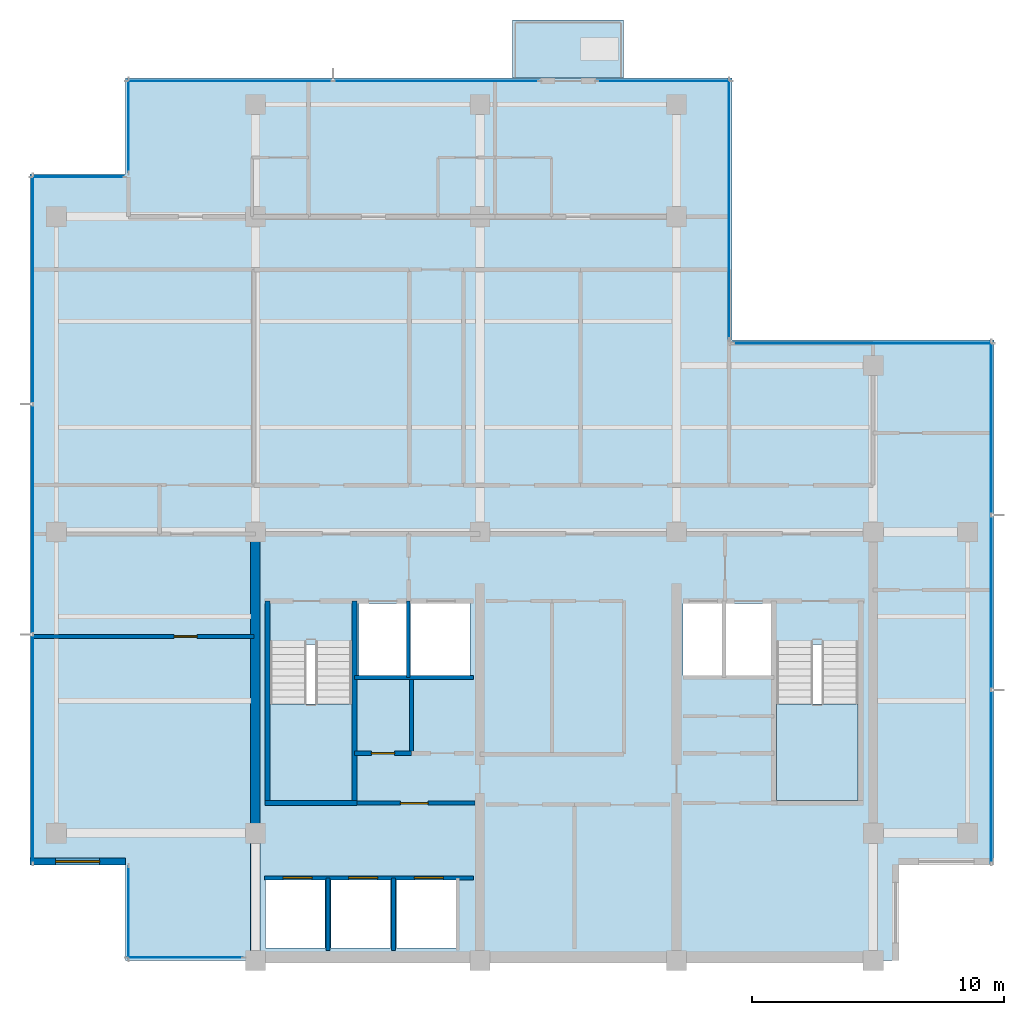
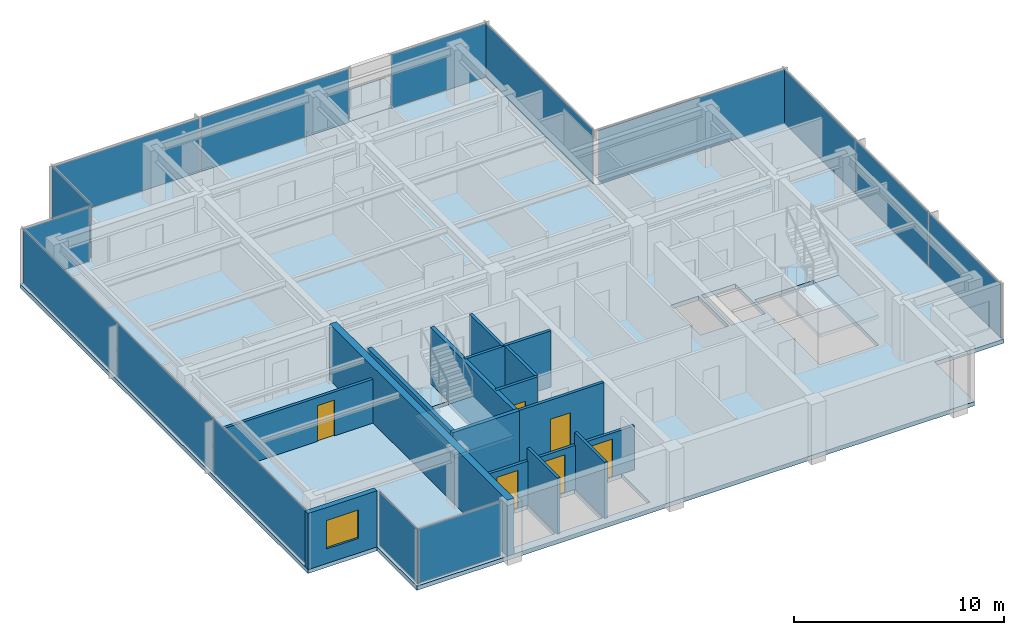
# One storey, part 5 of 11: 15 plates, 14 walls, 6 doors, 4 slabs, 1 window, 7 openings, 12 elements without a shape of their own.
"""IFC4 building model written with IfcOpenShell, lengths in metres."""

import ifcopenshell
import ifcopenshell.guid

model = None  # the IFC model being written
_history = None  # IfcOwnerHistory: only IFC2X3 demands one
_inside = {}  # id of a spatial element -> (the spatial element, [elements in it])
_under = {}  # id of a project, library or spatial element -> (it, [spatial elements below it])
_declared = {}  # id of a project -> (the project, [libraries it declares])
_typed = {}  # id of a type object -> (the type object, [elements of that type])
_made_of = {}  # id of a material, layer set ... -> (it, [elements and type objects made of it])


def new_model(schema):
    """Start an empty IFC model of exactly this schema.

    Asked for "IFC4X3", IfcOpenShell would pick the latest addendum, in which some entities
    have other attributes; the version numbers below select the first issue.
    IFC2X3 requires an IfcOwnerHistory on every rooted entity: one is made here for all.
    """
    global model, _history
    if schema == "IFC4X3":
        model = ifcopenshell.file(schema_version=(4, 3, 0, 0))
    else:
        model = ifcopenshell.file(schema=schema)
    _inside.clear()
    _under.clear()
    _declared.clear()
    _typed.clear()
    _made_of.clear()
    _history = None
    if model.schema == "IFC2X3":
        org = make("IfcOrganization", Name="unknown")
        user = make(
            "IfcPersonAndOrganization",
            ThePerson=make("IfcPerson", FamilyName="unknown"),
            TheOrganization=org,
        )
        app = make(
            "IfcApplication",
            ApplicationDeveloper=org,
            Version="unknown",
            ApplicationFullName="unknown",
            ApplicationIdentifier="unknown",
        )
        _history = make(
            "IfcOwnerHistory",
            OwningUser=user,
            OwningApplication=app,
            ChangeAction="ADDED",
            CreationDate=0,
        )
    return model


def make(cls, **values):
    """One entity of the class cls with the attributes given. An attribute that is None is left unset."""
    return model.create_entity(
        cls, **{name: value for name, value in values.items() if value is not None}
    )


def rooted(cls, **values):
    """An entity with a GlobalId (a new one), such as an element, a storey or a relation."""
    return make(cls, GlobalId=ifcopenshell.guid.new(), OwnerHistory=_history, **values)


def si_unit(unit_type, name, prefix=None):
    """IfcSIUnit, for example si_unit("LENGTHUNIT", "METRE", prefix="MILLI")."""
    return make("IfcSIUnit", UnitType=unit_type, Prefix=prefix, Name=name)


def assignment(units):
    """IfcUnitAssignment: the units of a project."""
    return None if units is None else make("IfcUnitAssignment", Units=units)


def point(xyz):
    """IfcCartesianPoint."""
    return None if xyz is None else make("IfcCartesianPoint", Coordinates=xyz)


def direction(xyz):
    """IfcDirection."""
    return None if xyz is None else make("IfcDirection", DirectionRatios=xyz)


def frame(location, z_axis=None, x_axis=None):
    """IfcAxis2Placement3D, a coordinate frame: its origin and axes. An axis left out is left unset."""
    return make(
        "IfcAxis2Placement3D",
        Location=point(location),
        Axis=direction(z_axis),
        RefDirection=direction(x_axis),
    )


def frame_2d(location, x_axis=None):
    """IfcAxis2Placement2D, a coordinate frame in the plane: its origin and x axis."""
    return make(
        "IfcAxis2Placement2D", Location=point(location), RefDirection=direction(x_axis)
    )


def origin():
    """The frame at (0, 0, 0) with its axes left unset."""
    return frame((0.0, 0.0, 0.0))


def origin_2d():
    """The frame at (0, 0) in the plane with its x axis left unset."""
    return frame_2d((0.0, 0.0))


def place(relative_to, where):
    """IfcLocalPlacement: puts the frame where relative to a parent placement (None: the world)."""
    return make(
        "IfcLocalPlacement", PlacementRelTo=relative_to, RelativePlacement=where
    )


def context(
    kind, dimensions, precision=None, world=None, true_north=None, identifier=None
):
    """IfcGeometricRepresentationContext, for example the 3D "Model" context."""
    return make(
        "IfcGeometricRepresentationContext",
        ContextIdentifier=identifier,
        ContextType=kind,
        CoordinateSpaceDimension=dimensions,
        Precision=precision,
        WorldCoordinateSystem=world,
        TrueNorth=true_north,
    )


def subcontext(parent, identifier, kind, view, scale=None):
    """IfcGeometricRepresentationSubContext, for example "Body" below "Model"."""
    return make(
        "IfcGeometricRepresentationSubContext",
        ContextIdentifier=identifier,
        ContextType=kind,
        ParentContext=parent,
        TargetScale=scale,
        TargetView=view,
    )


def project(units=None, contexts=None):
    """IfcProject with its units and contexts."""
    return rooted(
        "IfcProject",
        Name="project",
        RepresentationContexts=contexts,
        UnitsInContext=assignment(units),
    )


def spatial(cls, under=None, at=None, **own):
    """A site, building, storey or space (cls), placed at a placement, below another one or the project."""
    s = rooted(cls, ObjectPlacement=at, **own)
    if under is not None:
        _under.setdefault(under.id(), (under, []))[1].append(s)
    return s


def polyline(points):
    """IfcPolyline through the points."""
    return make("IfcPolyline", Points=[point(p) for p in points])


def profile(cls, at=None, kind="AREA", **sizes):
    """A parametric profile (cls). Its sizes go by their IFC names, for example OverallWidth=200.0."""
    return make(cls, ProfileType=kind, Position=at, **sizes)


def rectangle(**sizes):
    """IfcRectangleProfileDef."""
    return profile("IfcRectangleProfileDef", **sizes)


def outline(outer, holes=None, kind="AREA"):
    """IfcArbitraryClosedProfileDef: a profile drawn as a closed curve; with holes, ...WithVoids."""
    if holes is None:
        return make("IfcArbitraryClosedProfileDef", ProfileType=kind, OuterCurve=outer)
    return make(
        "IfcArbitraryProfileDefWithVoids",
        ProfileType=kind,
        OuterCurve=outer,
        InnerCurves=holes,
    )


def extrude(swept, where, along, depth):
    """IfcExtrudedAreaSolid: the profile swept, set in the frame where, extruded along a direction by depth."""
    return make(
        "IfcExtrudedAreaSolid",
        SweptArea=swept,
        Position=where,
        ExtrudedDirection=direction(along),
        Depth=depth,
    )


def shape(context_of_items, identifier, shape_type, items):
    """IfcShapeRepresentation: the items that make up one representation, for example the "Body"."""
    return make(
        "IfcShapeRepresentation",
        ContextOfItems=context_of_items,
        RepresentationIdentifier=identifier,
        RepresentationType=shape_type,
        Items=items,
    )


def material(Name=None, Category=None):
    """IfcMaterial."""
    return make("IfcMaterial", Name=Name, Category=Category)


def layer(
    of_material, thickness, ventilated=None, Name=None, Category=None, Priority=None
):
    """IfcMaterialLayer: one layer of a wall or slab, of a material (None: an air gap)."""
    return make(
        "IfcMaterialLayer",
        Material=of_material,
        LayerThickness=thickness,
        IsVentilated=ventilated,
        Name=Name,
        Category=Category,
        Priority=Priority,
    )


def layer_set(layers, Name=None):
    """IfcMaterialLayerSet."""
    return make("IfcMaterialLayerSet", MaterialLayers=layers, LayerSetName=Name)


def made_of(thing, what):
    """Note that an element or type object is made of a material, layer set ...; save() writes the relation."""
    if what is not None:
        _made_of.setdefault(what.id(), (what, []))[1].append(thing)
    return thing


def type_object(cls, material=None, **own):
    """A type object (cls), such as IfcWallType, which elements share."""
    return made_of(rooted(cls, **own), material)


def element(
    cls,
    number,
    at=None,
    inside=None,
    cuts=None,
    type_object=None,
    material=None,
    context=None,
    identifier="Body",
    shape_type=None,
    held_by="IfcProductDefinitionShape",
    body=None,
    shapes=None,
    **own,
):
    """One element of the class cls, such as IfcWall. Its Tag is "e" and its number.

    at: its placement. inside: the storey or other place that contains it. cuts: it is an
    opening in that element (IfcRelVoidsElement). A single representation is given by context,
    identifier, shape_type and body (its items); several are given by shapes. held_by: the class
    of the entity that holds the representations. save() writes the other relations.
    """
    e = rooted(cls, Tag="e%d" % number, ObjectPlacement=at, **own)
    if body is not None:
        shapes = [shape(context, identifier, shape_type, body)]
    if shapes is not None:
        e.Representation = make(held_by, Representations=shapes)
    if inside is not None:
        _inside.setdefault(inside.id(), (inside, []))[1].append(e)
    if cuts is not None:
        rooted(
            "IfcRelVoidsElement", RelatingBuildingElement=cuts, RelatedOpeningElement=e
        )
    if type_object is not None:
        _typed.setdefault(type_object.id(), (type_object, []))[1].append(e)
    return made_of(e, material)


def fill(opening, filler):
    """IfcRelFillsElement: the door or window that sits in an opening."""
    return rooted(
        "IfcRelFillsElement",
        RelatingOpeningElement=opening,
        RelatedBuildingElement=filler,
    )


def aggregate(whole, parts):
    """IfcRelAggregates: a whole, such as a stair, and the parts it consists of."""
    return rooted("IfcRelAggregates", RelatingObject=whole, RelatedObjects=parts)


def save(model, path):
    """Write the relations noted so far, then the file.

    IfcRelAggregates (storeys below a building ...), IfcRelContainedInSpatialStructure (elements
    in a storey), IfcRelDefinesByType, IfcRelAssociatesMaterial and IfcRelDeclares: one each for
    every whole, place, type object, material and project.
    """
    for whole, parts in _under.values():
        aggregate(whole, parts)
    for where, things in _inside.values():
        rooted(
            "IfcRelContainedInSpatialStructure",
            RelatedElements=things,
            RelatingStructure=where,
        )
    for kind, things in _typed.values():
        rooted("IfcRelDefinesByType", RelatedObjects=things, RelatingType=kind)
    for what, things in _made_of.values():
        rooted("IfcRelAssociatesMaterial", RelatedObjects=things, RelatingMaterial=what)
    for by, libraries in _declared.values():
        rooted("IfcRelDeclares", RelatingContext=by, RelatedDefinitions=libraries)
    model.write(path)


model = new_model("IFC4")

# Units and contexts
model_context = context("Model", 3, precision=1e-05, world=origin(), true_north=direction((0.0, 1.0)))
body_context = subcontext(model_context, "Body", "Model", "MODEL_VIEW")
ifc_project = project(units=[si_unit("LENGTHUNIT", "METRE"), si_unit("AREAUNIT", "SQUARE_METRE"), si_unit("VOLUMEUNIT", "CUBIC_METRE"), si_unit("PLANEANGLEUNIT", "RADIAN"), si_unit("MASSUNIT", "GRAM", prefix="KILO")], contexts=[model_context])

# Site, building, storey
site_placement = place(None, origin())
site = spatial("IfcSite", under=ifc_project, at=site_placement, CompositionType="ELEMENT")
building_placement = place(site_placement, origin())
building = spatial("IfcBuilding", under=site, at=building_placement, Name="Qalmaran Belvedere Hotel", CompositionType="ELEMENT")
storey_placement = place(building_placement, frame((0.0, 0.0, 270.39990234375)))
storey = spatial("IfcBuildingStorey", under=building, at=storey_placement, Name="L70", CompositionType="ELEMENT", Elevation=270.39990234375)

# Curtain wall, plate
ifc_material_1 = material(Name="Anodised Bronze Aluminium", Category="aluminium")
ifc_layer_1 = layer(ifc_material_1, 0.18505859375, Name="Anodised Bronze Aluminium")
ifc_layer_set_1 = layer_set([ifc_layer_1], Name="Anodised Bronze Aluminium")
curtain_wall_type = type_object("IfcCurtainWallType", Name="CW6-TOWER-SKY", PredefinedType="NOTDEFINED", material=ifc_layer_set_1)
curtain_wall_1_placement = place(storey_placement, origin())
curtain_wall_1 = element("IfcCurtainWall", 1, at=curtain_wall_1_placement, inside=storey, type_object=curtain_wall_type, Name="L70 Curtain Wall CW6", PredefinedType="NOTDEFINED")
ifc_material_2 = material(Name="Solar-Control Double Glazing", Category="glass")
ifc_layer_2 = layer(ifc_material_2, 0.028076171875, Name="Solar-Control Double Glazing")
ifc_layer_set_2 = layer_set([ifc_layer_2], Name="Solar-Control Double Glazing")
plate_type = type_object("IfcPlateType", Name="CWP-VISION-28", PredefinedType="CURTAIN_PANEL", material=ifc_layer_set_2)
plate_1_placement = place(storey_placement, frame((17.5048828125, 3.6201171875, 0.065185546875), z_axis=(0.0, 0.0, 1.0), x_axis=(1.0, 0.0, 0.0)))
plate_1 = element("IfcPlate", 2, at=plate_1_placement, type_object=plate_type, Name="CW6 panel 1.1", PredefinedType="CURTAIN_PANEL", context=body_context, shape_type="SweptSolid", body=[
    extrude(rectangle(XDim=4.580078125, YDim=0.028076171875, at=origin_2d()), origin(), (0.0, 0.0, 1.0), 3.1298828125),
])
aggregate(curtain_wall_1, [plate_1])

# Curtain wall, plates
curtain_wall_2_placement = place(storey_placement, origin())
curtain_wall_2 = element("IfcCurtainWall", 3, at=curtain_wall_2_placement, inside=storey, type_object=curtain_wall_type, Name="L70 Curtain Wall CW6", PredefinedType="NOTDEFINED")
plate_2_placement = place(storey_placement, frame((49.47998046875, 10.782958984375, 0.065185546875), z_axis=(0.0, 0.0, 1.0), x_axis=(0.0, 1.0, 0.0)))
plate_2 = element("IfcPlate", 4, at=plate_2_placement, type_object=plate_type, Name="CW6 panel 1.1", PredefinedType="CURTAIN_PANEL", context=body_context, shape_type="SweptSolid", body=[
    extrude(rectangle(XDim=6.8359375, YDim=0.028076171875, at=origin_2d()), origin(), (0.0, 0.0, 1.0), 3.1298828125),
])
plate_3_placement = place(storey_placement, frame((49.47998046875, 17.699951171875, 0.065185546875), z_axis=(0.0, 0.0, 1.0), x_axis=(0.0, 1.0, 0.0)))
plate_3 = element("IfcPlate", 5, at=plate_3_placement, type_object=plate_type, Name="CW6 panel 2.1", PredefinedType="CURTAIN_PANEL", context=body_context, shape_type="SweptSolid", body=[
    extrude(rectangle(XDim=6.868408203125, YDim=0.028076171875, at=origin_2d()), origin(), (0.0, 0.0, 1.0), 3.1298828125),
])
plate_4_placement = place(storey_placement, frame((49.47998046875, 24.6171875, 0.065185546875), z_axis=(0.0, 0.0, 1.0), x_axis=(0.0, 1.0, 0.0)))
plate_4 = element("IfcPlate", 6, at=plate_4_placement, type_object=plate_type, Name="CW6 panel 3.1", PredefinedType="CURTAIN_PANEL", context=body_context, shape_type="SweptSolid", body=[
    extrude(rectangle(XDim=6.8359375, YDim=0.028076171875, at=origin_2d()), origin(), (0.0, 0.0, 1.0), 3.1298828125),
])
aggregate(curtain_wall_2, [plate_2, plate_3, plate_4])

# Curtain wall, plate
curtain_wall_3_placement = place(storey_placement, origin())
curtain_wall_3 = element("IfcCurtainWall", 7, at=curtain_wall_3_placement, inside=storey, type_object=curtain_wall_type, Name="L70 Curtain Wall CW6", PredefinedType="NOTDEFINED")
plate_5_placement = place(storey_placement, frame((44.39990234375, 27.97998046875, 0.065185546875), z_axis=(0.0, 0.0, 1.0), x_axis=(-1.0, 0.0, 0.0)))
plate_5 = element("IfcPlate", 8, at=plate_5_placement, type_object=plate_type, Name="CW6 panel 1.1", PredefinedType="CURTAIN_PANEL", context=body_context, shape_type="SweptSolid", body=[
    extrude(rectangle(XDim=10.27001953125, YDim=0.028076171875, at=origin_2d()), origin(), (0.0, 0.0, 1.0), 3.1298828125),
])
aggregate(curtain_wall_3, [plate_5])

curtain_wall_4_placement = place(storey_placement, origin())
curtain_wall_4 = element("IfcCurtainWall", 9, at=curtain_wall_4_placement, inside=storey, type_object=curtain_wall_type, Name="L70 Curtain Wall CW6", PredefinedType="NOTDEFINED")
plate_6_placement = place(storey_placement, frame((39.080078125, 33.300048828125, 0.065185546875), z_axis=(0.0, 0.0, 1.0), x_axis=(0.0, 1.0, 0.0)))
plate_6 = element("IfcPlate", 10, at=plate_6_placement, type_object=plate_type, Name="CW6 panel 1.1", PredefinedType="CURTAIN_PANEL", context=body_context, shape_type="SweptSolid", body=[
    extrude(rectangle(XDim=10.27001953125, YDim=0.028076171875, at=origin_2d()), origin(), (0.0, 0.0, 1.0), 3.1298828125),
])
aggregate(curtain_wall_4, [plate_6])

# Curtain wall, plates
curtain_wall_5_placement = place(storey_placement, origin())
curtain_wall_5 = element("IfcCurtainWall", 11, at=curtain_wall_5_placement, inside=storey, type_object=curtain_wall_type, Name="L70 Curtain Wall CW6", PredefinedType="NOTDEFINED")
plate_7_placement = place(storey_placement, frame((27.47119140625, 38.3798828125, 0.065185546875), z_axis=(0.0, 0.0, 1.0), x_axis=(-1.0, 0.0, 0.0)))
plate_7 = element("IfcPlate", 12, at=plate_7_placement, type_object=plate_type, Name="CW6 panel 1.1", PredefinedType="CURTAIN_PANEL", context=body_context, shape_type="SweptSolid", body=[
    extrude(rectangle(XDim=8.12744140625, YDim=0.028076171875, at=origin_2d()), origin(), (0.0, 0.0, 1.0), 3.1298828125),
])
plate_8_placement = place(storey_placement, frame((19.27880859375, 38.3798828125, 0.065185546875), z_axis=(0.0, 0.0, 1.0), x_axis=(-1.0, 0.0, 0.0)))
plate_8 = element("IfcPlate", 13, at=plate_8_placement, type_object=plate_type, Name="CW6 panel 2.1", PredefinedType="CURTAIN_PANEL", context=body_context, shape_type="SweptSolid", body=[
    extrude(rectangle(XDim=8.12744140625, YDim=0.028076171875, at=origin_2d()), origin(), (0.0, 0.0, 1.0), 3.1298828125),
])
aggregate(curtain_wall_5, [plate_7, plate_8])

# Curtain wall, plate
curtain_wall_6_placement = place(storey_placement, origin())
curtain_wall_6 = element("IfcCurtainWall", 14, at=curtain_wall_6_placement, inside=storey, type_object=curtain_wall_type, Name="L70 Curtain Wall CW6", PredefinedType="NOTDEFINED")
plate_9_placement = place(storey_placement, frame((36.5, 38.3798828125, 0.065185546875), z_axis=(0.0, 0.0, 1.0), x_axis=(-1.0, 0.0, 0.0)))
plate_9 = element("IfcPlate", 15, at=plate_9_placement, type_object=plate_type, Name="CW6 panel 1.1", PredefinedType="CURTAIN_PANEL", context=body_context, shape_type="SweptSolid", body=[
    extrude(rectangle(XDim=5.27001953125, YDim=0.028076171875, at=origin_2d()), origin(), (0.0, 0.0, 1.0), 3.1298828125),
])
aggregate(curtain_wall_6, [plate_9])

curtain_wall_7_placement = place(storey_placement, origin())
curtain_wall_7 = element("IfcCurtainWall", 16, at=curtain_wall_7_placement, inside=storey, type_object=curtain_wall_type, Name="L70 Curtain Wall CW6", PredefinedType="NOTDEFINED")
plate_10_placement = place(storey_placement, frame((15.27001953125, 36.60009765625, 0.065185546875), z_axis=(0.0, 0.0, 1.0), x_axis=(0.0, -1.0, 0.0)))
plate_10 = element("IfcPlate", 17, at=plate_10_placement, type_object=plate_type, Name="CW6 panel 1.1", PredefinedType="CURTAIN_PANEL", context=body_context, shape_type="SweptSolid", body=[
    extrude(rectangle(XDim=3.669921875, YDim=0.028076171875, at=origin_2d()), origin(), (0.0, 0.0, 1.0), 3.1298828125),
])
aggregate(curtain_wall_7, [plate_10])

curtain_wall_8_placement = place(storey_placement, origin())
curtain_wall_8 = element("IfcCurtainWall", 18, at=curtain_wall_8_placement, inside=storey, type_object=curtain_wall_type, Name="L70 Curtain Wall CW6", PredefinedType="NOTDEFINED")
plate_11_placement = place(storey_placement, frame((13.25, 34.580078125, 0.065185546875), z_axis=(0.0, 0.0, 1.0), x_axis=(-1.0, 0.0, 0.0)))
plate_11 = element("IfcPlate", 19, at=plate_11_placement, type_object=plate_type, Name="CW6 panel 1.1", PredefinedType="CURTAIN_PANEL", context=body_context, shape_type="SweptSolid", body=[
    extrude(rectangle(XDim=3.669921875, YDim=0.028076171875, at=origin_2d()), origin(), (0.0, 0.0, 1.0), 3.1298828125),
])
aggregate(curtain_wall_8, [plate_11])

# Curtain wall, plates
curtain_wall_9_placement = place(storey_placement, origin())
curtain_wall_9 = element("IfcCurtainWall", 20, at=curtain_wall_9_placement, inside=storey, type_object=curtain_wall_type, Name="L70 Curtain Wall CW6", PredefinedType="NOTDEFINED")
plate_12_placement = place(storey_placement, frame((11.469970703125, 30.1171875, 0.065185546875), z_axis=(0.0, 0.0, 1.0), x_axis=(0.0, -1.0, 0.0)))
plate_12 = element("IfcPlate", 21, at=plate_12_placement, type_object=plate_type, Name="CW6 panel 1.1", PredefinedType="CURTAIN_PANEL", context=body_context, shape_type="SweptSolid", body=[
    extrude(rectangle(XDim=9.035888671875, YDim=0.028076171875, at=origin_2d()), origin(), (0.0, 0.0, 1.0), 3.1298828125),
])
plate_13_placement = place(storey_placement, frame((11.469970703125, 21.0, 0.065185546875), z_axis=(0.0, 0.0, 1.0), x_axis=(0.0, -1.0, 0.0)))
plate_13 = element("IfcPlate", 22, at=plate_13_placement, type_object=plate_type, Name="CW6 panel 2.1", PredefinedType="CURTAIN_PANEL", context=body_context, shape_type="SweptSolid", body=[
    extrude(rectangle(XDim=9.068359375, YDim=0.028076171875, at=origin_2d()), origin(), (0.0, 0.0, 1.0), 3.1298828125),
])
plate_14_placement = place(storey_placement, frame((11.469970703125, 11.8828125, 0.065185546875), z_axis=(0.0, 0.0, 1.0), x_axis=(0.0, -1.0, 0.0)))
plate_14 = element("IfcPlate", 23, at=plate_14_placement, type_object=plate_type, Name="CW6 panel 3.1", PredefinedType="CURTAIN_PANEL", context=body_context, shape_type="SweptSolid", body=[
    extrude(rectangle(XDim=9.035888671875, YDim=0.028076171875, at=origin_2d()), origin(), (0.0, 0.0, 1.0), 3.1298828125),
])
aggregate(curtain_wall_9, [plate_12, plate_13, plate_14])

# Curtain wall, plate
curtain_wall_10_placement = place(storey_placement, origin())
curtain_wall_10 = element("IfcCurtainWall", 24, at=curtain_wall_10_placement, inside=storey, type_object=curtain_wall_type, Name="L70 Curtain Wall CW6", PredefinedType="NOTDEFINED")
plate_15_placement = place(storey_placement, frame((15.27001953125, 5.39990234375, 0.065185546875), z_axis=(0.0, 0.0, 1.0), x_axis=(0.0, -1.0, 0.0)))
plate_15 = element("IfcPlate", 25, at=plate_15_placement, type_object=plate_type, Name="CW6 panel 1.1", PredefinedType="CURTAIN_PANEL", context=body_context, shape_type="SweptSolid", body=[
    extrude(rectangle(XDim=3.669921875, YDim=0.028076171875, at=origin_2d()), origin(), (0.0, 0.0, 1.0), 3.1298828125),
])
aggregate(curtain_wall_10, [plate_15])

# Slab
ifc_material_3 = material(Name="Concrete C40/50", Category="concrete")
ifc_layer_3 = layer(ifc_material_3, 0.219970703125, Name="Concrete C40/50")
ifc_layer_set_3 = layer_set([ifc_layer_3], Name="Concrete C40/50")
slab_type_1 = type_object("IfcSlabType", Name="SLB-BAL-220", PredefinedType="USERDEFINED", material=ifc_layer_set_3)
slab_1_placement = place(storey_placement, frame((0.0, 0.0, -0.219970703125)))
element("IfcSlab", 26, at=slab_1_placement, inside=storey, type_object=slab_type_1, Name="L70 Planted Tree Balcony Slab 1", ObjectType="BALCONY", PredefinedType="USERDEFINED", context=body_context, shape_type="SweptSolid", body=[
    extrude(outline(polyline([(30.5, 38.5), (34.89990234375, 38.5), (34.89990234375, 40.800048828125), (30.5, 40.800048828125), (30.5, 38.5)])), origin(), (0.0, 0.0, 1.0), 0.219970703125),
])

# Stair, slab
stair_type_1 = type_object("IfcStairType", Name="STR-ST-1-1450-R1750", PredefinedType="HALF_TURN_STAIR", material=ifc_material_3)
stair_1_placement = place(storey_placement, origin())
stair_1 = element("IfcStair", 27, at=stair_1_placement, inside=storey, type_object=stair_type_1, Name="L70 West Core Exit Stair ST-1", PredefinedType="HALF_TURN_STAIR")
ifc_layer_4 = layer(ifc_material_3, 0.199951171875, Name="Concrete C40/50")
ifc_layer_set_4 = layer_set([ifc_layer_4], Name="Concrete C40/50")
slab_type_2 = type_object("IfcSlabType", Name="SLB-STAIR-LANDING-200", PredefinedType="LANDING", material=ifc_layer_set_4)
slab_2_placement = place(storey_placement, frame((0.0, 0.0, 1.550048828125)))
slab_2 = element("IfcSlab", 28, at=slab_2_placement, type_object=slab_type_2, Name="ST-1 landing 1", PredefinedType="LANDING", context=body_context, shape_type="SweptSolid", body=[
    extrude(outline(polyline([(20.8798828125, 13.669921875), (20.8798828125, 9.85009765625), (24.1201171875, 9.85009765625), (24.1201171875, 13.669921875), (20.8798828125, 13.669921875)])), origin(), (0.0, 0.0, 1.0), 0.199951171875),
])
aggregate(stair_1, [slab_2])

stair_type_2 = type_object("IfcStairType", Name="STR-ST-2-1450-R1750", PredefinedType="HALF_TURN_STAIR", material=ifc_material_3)
stair_2_placement = place(storey_placement, origin())
stair_2 = element("IfcStair", 29, at=stair_2_placement, inside=storey, type_object=stair_type_2, Name="L70 East Core Exit Stair ST-2", PredefinedType="HALF_TURN_STAIR")
slab_3_placement = place(storey_placement, frame((0.0, 0.0, 1.550048828125)))
slab_3 = element("IfcSlab", 30, at=slab_3_placement, type_object=slab_type_2, Name="ST-2 landing 1", PredefinedType="LANDING", context=body_context, shape_type="SweptSolid", body=[
    extrude(outline(polyline([(40.9599609375, 13.669921875), (40.9599609375, 9.85009765625), (44.199951171875, 9.85009765625), (44.199951171875, 13.669921875), (40.9599609375, 13.669921875)])), origin(), (0.0, 0.0, 1.0), 0.199951171875),
])
aggregate(stair_2, [slab_3])

# Slab
ifc_layer_5 = layer(ifc_material_3, 0.239990234375, Name="Concrete C40/50")
ifc_layer_set_5 = layer_set([ifc_layer_5], Name="Concrete C40/50")
slab_type_3 = type_object("IfcSlabType", Name="SLB-Z4-240", PredefinedType="FLOOR", material=ifc_layer_set_5)
slab_4_placement = place(storey_placement, frame((0.0, 0.0, -0.239990234375)))
element("IfcSlab", 31, at=slab_4_placement, inside=storey, type_object=slab_type_3, Name="L70 Structural Floor Slab", PredefinedType="FLOOR", context=body_context, shape_type="SweptSolid", body=[
    extrude(outline(polyline([(15.14990234375, 3.5), (45.800048828125, 3.5), (45.800048828125, 7.300048828125), (49.60009765625, 7.300048828125), (49.60009765625, 28.10009765625), (39.199951171875, 28.10009765625), (39.199951171875, 38.5), (15.14990234375, 38.5), (15.14990234375, 34.699951171875), (11.35009765625, 34.699951171875), (11.35009765625, 7.300048828125), (15.14990234375, 7.300048828125), (15.14990234375, 3.5)]), holes=[polyline([(20.8798828125, 9.85009765625), (24.1201171875, 9.85009765625), (24.1201171875, 16.0400390625), (20.8798828125, 16.0400390625), (20.8798828125, 9.85009765625)]), polyline([(40.9599609375, 9.85009765625), (44.199951171875, 9.85009765625), (44.199951171875, 16.0400390625), (40.9599609375, 16.0400390625), (40.9599609375, 9.85009765625)]), polyline([(20.699951171875, 4.0), (23.050048828125, 4.0), (23.050048828125, 6.699951171875), (20.699951171875, 6.699951171875), (20.699951171875, 4.0)]), polyline([(23.300048828125, 4.0), (25.64990234375, 4.0), (25.64990234375, 6.699951171875), (23.300048828125, 6.699951171875), (23.300048828125, 4.0)]), polyline([(25.89990234375, 4.0), (28.25, 4.0), (28.25, 6.699951171875), (25.89990234375, 6.699951171875), (25.89990234375, 4.0)]), polyline([(24.39990234375, 14.800048828125), (26.300048828125, 14.800048828125), (26.300048828125, 17.64990234375), (24.39990234375, 17.64990234375), (24.39990234375, 14.800048828125)]), polyline([(38.949951171875, 14.800048828125), (40.820068359375, 14.800048828125), (40.820068359375, 17.64990234375), (38.949951171875, 17.64990234375), (38.949951171875, 14.800048828125)]), polyline([(26.449951171875, 14.800048828125), (28.800048828125, 14.800048828125), (28.800048828125, 17.64990234375), (26.449951171875, 17.64990234375), (26.449951171875, 14.800048828125)]), polyline([(37.25, 14.800048828125), (38.800048828125, 14.800048828125), (38.800048828125, 17.64990234375), (37.25, 17.64990234375), (37.25, 14.800048828125)])]), origin(), (0.0, 0.0, 1.0), 0.239990234375),
])

# Wall
ifc_material_4 = material(Name="Concrete C50/60", Category="concrete")
ifc_layer_6 = layer(ifc_material_4, 0.3798828125, Name="Concrete C50/60")
ifc_layer_set_6 = layer_set([ifc_layer_6], Name="Concrete C50/60")
wall_type_1 = type_object("IfcWallType", Name="WL-CORE-380-C50", PredefinedType="SHEAR", material=ifc_layer_set_6)
wall_1_placement = place(storey_placement, frame((20.300048828125, 3.5, 0.0), z_axis=(0.0, 0.0, 1.0), x_axis=(0.0, 1.0, 0.0)))
element("IfcWall", 32, at=wall_1_placement, inside=storey, type_object=wall_type_1, Name="L70 West Core Shear Wall", PredefinedType="SHEAR", context=body_context, shape_type="SweptSolid", body=[
    extrude(rectangle(XDim=16.89990234375, YDim=0.3798828125, at=frame_2d((8.449951171875, 0.0))), origin(), (0.0, 0.0, 1.0), 3.260009765625),
])

# Wall, opening, window
ifc_material_5 = material(Name="Anodised Bronze Cladding")
ifc_layer_7 = layer(ifc_material_5, 0.280029296875, Name="Anodised Bronze Cladding")
ifc_layer_set_7 = layer_set([ifc_layer_7], Name="Anodised Bronze Cladding")
wall_type_2 = type_object("IfcWallType", Name="WL-EXT-BRNZ-280", PredefinedType="SOLIDWALL", material=ifc_layer_set_7)
wall_2_placement = place(storey_placement, frame((11.35009765625, 7.419921875, 0.0), z_axis=(0.0, 0.0, 1.0), x_axis=(1.0, 0.0, 0.0)))
wall_2 = element("IfcWall", 33, at=wall_2_placement, inside=storey, type_object=wall_type_2, Name="L70 Corner Notch Wall 10", PredefinedType="SOLIDWALL", context=body_context, shape_type="SweptSolid", body=[
    extrude(rectangle(XDim=3.7998046875, YDim=0.280029296875, at=frame_2d((1.89990234375, 0.0))), origin(), (0.0, 0.0, 1.0), 3.260009765625),
])
opening_1_placement = place(wall_2_placement, frame((1.02490234375, 0.0, 0.85009765625)))
opening_1 = element("IfcOpeningElement", 34, at=opening_1_placement, cuts=wall_2, Name="Opening W-N17", PredefinedType="OPENING", context=body_context, shape_type="SweptSolid", body=[
    extrude(rectangle(XDim=1.75, YDim=1.64990234375, at=frame_2d((0.875, 0.824951171875))), frame((0.0, 0.14990234375, 0.0), z_axis=(0.0, -1.0, 0.0), x_axis=(1.0, 0.0, 0.0)), (0.0, 0.0, 1.0), 0.300048828125),
])
window_type = type_object("IfcWindowType", Name="WN-NTC-1750X1650", PartitioningType="SINGLE_PANEL", PredefinedType="WINDOW", material=ifc_material_2)
window_placement = place(opening_1_placement, origin())
window = element("IfcWindow", 35, at=window_placement, inside=storey, type_object=window_type, Name="L70 Corner Notch Window 10", OverallHeight=1.64990234375, OverallWidth=1.75, PartitioningType="SINGLE_PANEL", PredefinedType="WINDOW", context=body_context, shape_type="SweptSolid", body=[
    extrude(rectangle(XDim=1.75, YDim=1.64990234375, at=frame_2d((0.875, 0.824951171875))), frame((0.0, 0.030029296875, 0.0), z_axis=(0.0, -1.0, 0.0), x_axis=(1.0, 0.0, 0.0)), (0.0, 0.0, 1.0), 0.06005859375),
])
fill(opening_1, window)

# Walls
ifc_material_6 = material(Name="Gypsum Stud Partition")
ifc_layer_8 = layer(ifc_material_6, 0.14990234375, Name="Gypsum Stud Partition")
ifc_layer_set_8 = layer_set([ifc_layer_8], Name="Gypsum Stud Partition")
wall_type_3 = type_object("IfcWallType", Name="WL-INT-150-EI120", PredefinedType="PARTITIONING", material=ifc_layer_set_8)
wall_3_placement = place(storey_placement, frame((26.360107421875, 14.719970703125, 0.0), z_axis=(0.0, 0.0, 1.0), x_axis=(0.0, 1.0, 0.0)))
element("IfcWall", 36, at=wall_3_placement, inside=storey, type_object=wall_type_3, Name="L70 Partition WL-FF1M-L70", PredefinedType="PARTITIONING", context=body_context, shape_type="SweptSolid", body=[
    extrude(rectangle(XDim=3.0400390625, YDim=0.14990234375, at=frame_2d((1.52001953125, 0.0))), origin(), (0.0, 0.0, 1.0), 3.260009765625),
])
for number, where, z_axis, x_axis, name in (
    (37, (23.179931640625, 3.89990234375, 0.0), (0.0, 0.0, 1.0), (0.0, 1.0, 0.0), "L70 Partition WL-POM1-L70"),
    (38, (25.780029296875, 3.89990234375, 0.0), (0.0, 0.0, 1.0), (0.0, 1.0, 0.0), "L70 Partition WL-POM2-L70"),
):
    element("IfcWall", number, at=place(storey_placement, frame(where, z_axis=z_axis, x_axis=x_axis)), inside=storey, type_object=wall_type_3, Name=name, PredefinedType="PARTITIONING", context=body_context, shape_type="SweptSolid", body=[
        extrude(rectangle(XDim=2.880126953125, YDim=0.14990234375, at=frame_2d((1.43994140625, 0.0))), origin(), (0.0, 0.0, 1.0), 3.260009765625),
    ])
ifc_layer_9 = layer(ifc_material_6, 0.14990234375, Name="Gypsum Stud Partition")
ifc_layer_set_9 = layer_set([ifc_layer_9], Name="Gypsum Stud Partition")
wall_type_4 = type_object("IfcWallType", Name="WL-INT-150-EI60", PredefinedType="PARTITIONING", material=ifc_layer_set_9)
wall_4_placement = place(storey_placement, frame((26.490478515625, 11.719970703125, 0.0), z_axis=(0.0, 0.0, 1.0), x_axis=(0.0, 1.0, 0.0)))
element("IfcWall", 39, at=wall_4_placement, inside=storey, type_object=wall_type_4, Name="L70 Partition WL-L70-KWV1", PredefinedType="PARTITIONING", context=body_context, shape_type="SweptSolid", body=[
    extrude(rectangle(XDim=2.929931640625, YDim=0.14990234375, at=frame_2d((1.46484375, 0.0))), origin(), (0.0, 0.0, 1.0), 3.260009765625),
])
ifc_layer_10 = layer(ifc_material_6, 0.159912109375, Name="Gypsum Stud Partition")
ifc_layer_set_10 = layer_set([ifc_layer_10], Name="Gypsum Stud Partition")
wall_type_5 = type_object("IfcWallType", Name="WL-INT-160-EI120", PredefinedType="PARTITIONING", material=ifc_layer_set_10)
wall_5_placement = place(storey_placement, frame((24.219970703125, 14.719970703125, 0.0), z_axis=(0.0, 0.0, 1.0), x_axis=(1.0, 0.0, 0.0)))
element("IfcWall", 40, at=wall_5_placement, inside=storey, type_object=wall_type_5, Name="L70 Partition WL-FF1S-L70", PredefinedType="PARTITIONING", context=body_context, shape_type="SweptSolid", body=[
    extrude(rectangle(XDim=4.72998046875, YDim=0.159912109375, at=frame_2d((2.364990234375, 0.0))), origin(), (0.0, 0.0, 1.0), 3.260009765625),
])

# Wall, openings, doors
wall_6_placement = place(storey_placement, frame((20.64990234375, 6.780029296875, 0.0), z_axis=(0.0, 0.0, 1.0), x_axis=(1.0, 0.0, 0.0)))
wall_6 = element("IfcWall", 41, at=wall_6_placement, inside=storey, type_object=wall_type_5, Name="L70 Partition WL-POS-L70", PredefinedType="PARTITIONING", context=body_context, shape_type="SweptSolid", body=[
    extrude(rectangle(XDim=8.300048828125, YDim=0.159912109375, at=frame_2d((4.14990234375, 0.0))), origin(), (0.0, 0.0, 1.0), 2.550048828125),
])
opening_2_placement = place(wall_6_placement, frame((0.75, 0.0, 0.0)))
opening_2 = element("IfcOpeningElement", 42, at=opening_2_placement, cuts=wall_6, Name="Opening LD-PO", PredefinedType="OPENING", context=body_context, shape_type="SweptSolid", body=[
    extrude(rectangle(XDim=1.14990234375, YDim=2.199951171875, at=frame_2d((0.574951171875, 1.10009765625))), frame((0.0, 0.08984375, 0.0), z_axis=(0.0, -1.0, 0.0), x_axis=(1.0, 0.0, 0.0)), (0.0, 0.0, 1.0), 0.179931640625),
])
opening_3_placement = place(wall_6_placement, frame((3.35009765625, 0.0, 0.0)))
opening_3 = element("IfcOpeningElement", 43, at=opening_3_placement, cuts=wall_6, Name="Opening LD-PO", PredefinedType="OPENING", context=body_context, shape_type="SweptSolid", body=[
    extrude(rectangle(XDim=1.14990234375, YDim=2.199951171875, at=frame_2d((0.574951171875, 1.10009765625))), frame((0.0, 0.08984375, 0.0), z_axis=(0.0, -1.0, 0.0), x_axis=(1.0, 0.0, 0.0)), (0.0, 0.0, 1.0), 0.179931640625),
])
opening_4_placement = place(wall_6_placement, frame((5.949951171875, 0.0, 0.0)))
opening_4 = element("IfcOpeningElement", 44, at=opening_4_placement, cuts=wall_6, Name="Opening LD-PO", PredefinedType="OPENING", context=body_context, shape_type="SweptSolid", body=[
    extrude(rectangle(XDim=1.14990234375, YDim=2.199951171875, at=frame_2d((0.574951171875, 1.10009765625))), frame((0.0, 0.08984375, 0.0), z_axis=(0.0, -1.0, 0.0), x_axis=(1.0, 0.0, 0.0)), (0.0, 0.0, 1.0), 0.179931640625),
])
door_type_1 = type_object("IfcDoorType", Name="DR-LIFT-PO-1150X2200", OperationType="DOUBLE_DOOR_SLIDING", PredefinedType="DOOR", material=ifc_material_1)
door_1_placement = place(opening_2_placement, origin())
door_1 = element("IfcDoor", 45, at=door_1_placement, inside=storey, type_object=door_type_1, Name="L70 PO1 Shuttle Landing Door", OperationType="DOUBLE_DOOR_SLIDING", OverallHeight=2.199951171875, OverallWidth=1.14990234375, PredefinedType="DOOR", context=body_context, shape_type="SweptSolid", body=[
    extrude(rectangle(XDim=1.14990234375, YDim=2.199951171875, at=frame_2d((0.574951171875, 1.10009765625))), frame((0.0, 0.02490234375, 0.0), z_axis=(0.0, -1.0, 0.0), x_axis=(1.0, 0.0, 0.0)), (0.0, 0.0, 1.0), 0.050048828125),
])
fill(opening_2, door_1)
door_2_placement = place(opening_3_placement, origin())
door_2 = element("IfcDoor", 46, at=door_2_placement, inside=storey, type_object=door_type_1, Name="L70 PO2 Shuttle Landing Door", OperationType="DOUBLE_DOOR_SLIDING", OverallHeight=2.199951171875, OverallWidth=1.14990234375, PredefinedType="DOOR", context=body_context, shape_type="SweptSolid", body=[
    extrude(rectangle(XDim=1.14990234375, YDim=2.199951171875, at=frame_2d((0.574951171875, 1.10009765625))), frame((0.0, 0.02490234375, 0.0), z_axis=(0.0, -1.0, 0.0), x_axis=(1.0, 0.0, 0.0)), (0.0, 0.0, 1.0), 0.050048828125),
])
fill(opening_3, door_2)
door_3_placement = place(opening_4_placement, origin())
door_3 = element("IfcDoor", 47, at=door_3_placement, inside=storey, type_object=door_type_1, Name="L70 PO3 Shuttle Landing Door", OperationType="DOUBLE_DOOR_SLIDING", OverallHeight=2.199951171875, OverallWidth=1.14990234375, PredefinedType="DOOR", context=body_context, shape_type="SweptSolid", body=[
    extrude(rectangle(XDim=1.14990234375, YDim=2.199951171875, at=frame_2d((0.574951171875, 1.10009765625))), frame((0.0, 0.02490234375, 0.0), z_axis=(0.0, -1.0, 0.0), x_axis=(1.0, 0.0, 0.0)), (0.0, 0.0, 1.0), 0.050048828125),
])
fill(opening_4, door_3)

# Wall, opening, door
wall_7_placement = place(storey_placement, frame((24.199951171875, 9.739990234375, 0.0), z_axis=(0.0, 0.0, 1.0), x_axis=(1.0, 0.0, 0.0)))
wall_7 = element("IfcWall", 48, at=wall_7_placement, inside=storey, type_object=wall_type_5, Name="L70 Partition WL-PON-L70", PredefinedType="PARTITIONING", context=body_context, shape_type="SweptSolid", body=[
    extrude(rectangle(XDim=4.800048828125, YDim=0.159912109375, at=frame_2d((2.39990234375, 0.0))), origin(), (0.0, 0.0, 1.0), 3.260009765625),
])
opening_5_placement = place(wall_7_placement, frame((1.85009765625, 0.0, 0.0)))
opening_5 = element("IfcOpeningElement", 49, at=opening_5_placement, cuts=wall_7, Name="Opening FD90", PredefinedType="OPENING", context=body_context, shape_type="SweptSolid", body=[
    extrude(rectangle(XDim=1.10009765625, YDim=2.14990234375, at=frame_2d((0.550048828125, 1.074951171875))), frame((0.0, 0.08984375, 0.0), z_axis=(0.0, -1.0, 0.0), x_axis=(1.0, 0.0, 0.0)), (0.0, 0.0, 1.0), 0.179931640625),
])
ifc_material_7 = material(Name="Steel S355JR", Category="steel")
door_type_2 = type_object("IfcDoorType", Name="DR-FD90-1100X2150", OperationType="NOTDEFINED", PredefinedType="DOOR", material=ifc_material_7)
door_4_placement = place(opening_5_placement, origin())
door_4 = element("IfcDoor", 50, at=door_4_placement, inside=storey, type_object=door_type_2, Name="L70 Shuttle Lobby Passage Door", OperationType="SINGLE_SWING_LEFT", OverallHeight=2.14990234375, OverallWidth=1.10009765625, PredefinedType="DOOR", context=body_context, shape_type="SweptSolid", body=[
    extrude(rectangle(XDim=1.10009765625, YDim=2.14990234375, at=frame_2d((0.550048828125, 1.074951171875))), frame((0.0, 0.02490234375, 0.0), z_axis=(0.0, -1.0, 0.0), x_axis=(1.0, 0.0, 0.0)), (0.0, 0.0, 1.0), 0.050048828125),
])
fill(opening_5, door_4)

ifc_layer_11 = layer(ifc_material_6, 0.159912109375, Name="Gypsum Stud Partition")
ifc_layer_set_11 = layer_set([ifc_layer_11], Name="Gypsum Stud Partition")
wall_type_6 = type_object("IfcWallType", Name="WL-INT-160-EI60", PredefinedType="PARTITIONING", material=ifc_layer_set_11)
wall_8_placement = place(storey_placement, frame((24.219970703125, 11.719970703125, 0.0), z_axis=(0.0, 0.0, 1.0), x_axis=(1.0, 0.0, 0.0)))
wall_8 = element("IfcWall", 51, at=wall_8_placement, inside=storey, type_object=wall_type_6, Name="L70 Partition WL-L70-KWE1", PredefinedType="PARTITIONING", context=body_context, shape_type="SweptSolid", body=[
    extrude(rectangle(XDim=2.2705078125, YDim=0.159912109375, at=frame_2d((1.13525390625, 0.0))), origin(), (0.0, 0.0, 1.0), 3.260009765625),
])
opening_6_placement = place(wall_8_placement, frame((0.67529296875, 0.0, 0.0)))
opening_6 = element("IfcOpeningElement", 52, at=opening_6_placement, cuts=wall_8, Name="Opening FD60S1", PredefinedType="OPENING", context=body_context, shape_type="SweptSolid", body=[
    extrude(rectangle(XDim=0.919921875, YDim=2.080078125, at=frame_2d((0.4599609375, 1.0400390625))), frame((0.0, 0.08984375, 0.0), z_axis=(0.0, -1.0, 0.0), x_axis=(1.0, 0.0, 0.0)), (0.0, 0.0, 1.0), 0.179931640625),
])
ifc_material_8 = material(Name="Engineered Oak Veneer")
door_type_3 = type_object("IfcDoorType", Name="DR-FD60S-920X2080", OperationType="NOTDEFINED", PredefinedType="DOOR", material=ifc_material_8)
door_5_placement = place(opening_6_placement, origin())
door_5 = element("IfcDoor", 53, at=door_5_placement, inside=storey, type_object=door_type_3, Name="L70 Telecom and IT Room Door", OperationType="SINGLE_SWING_LEFT", OverallHeight=2.080078125, OverallWidth=0.919921875, PredefinedType="DOOR", context=body_context, shape_type="SweptSolid", body=[
    extrude(rectangle(XDim=0.919921875, YDim=2.080078125, at=frame_2d((0.4599609375, 1.0400390625))), frame((0.0, 0.02490234375, 0.0), z_axis=(0.0, -1.0, 0.0), x_axis=(1.0, 0.0, 0.0)), (0.0, 0.0, 1.0), 0.050048828125),
])
fill(opening_6, door_5)

wall_9_placement = place(storey_placement, frame((11.469970703125, 16.35009765625, 0.0), z_axis=(0.0, 0.0, 1.0), x_axis=(1.0, 0.0, 0.0)))
wall_9 = element("IfcWall", 54, at=wall_9_placement, inside=storey, type_object=wall_type_6, Name="L70 Partition WL-L70-C4WH1", PredefinedType="PARTITIONING", context=body_context, shape_type="SweptSolid", body=[
    extrude(rectangle(XDim=8.780029296875, YDim=0.159912109375, at=frame_2d((4.39013671875, 0.0))), origin(), (0.0, 0.0, 1.0), 2.550048828125),
])
opening_7_placement = place(wall_9_placement, frame((6.52001953125, 0.0, 0.0), z_axis=(0.0, 0.0, 1.0), x_axis=(-1.0, 0.0, 0.0)))
opening_7 = element("IfcOpeningElement", 55, at=opening_7_placement, cuts=wall_9, Name="Opening FD60S1", PredefinedType="OPENING", context=body_context, shape_type="SweptSolid", body=[
    extrude(rectangle(XDim=0.919921875, YDim=2.080078125, at=frame_2d((0.4599609375, 1.0400390625))), frame((0.0, 0.08984375, 0.0), z_axis=(0.0, -1.0, 0.0), x_axis=(1.0, 0.0, 0.0)), (0.0, 0.0, 1.0), 0.179931640625),
])
door_6_placement = place(opening_7_placement, origin())
door_6 = element("IfcDoor", 56, at=door_6_placement, inside=storey, type_object=door_type_3, Name="L70 SW Panorama Inner Door", OperationType="SINGLE_SWING_LEFT", OverallHeight=2.080078125, OverallWidth=0.919921875, PredefinedType="DOOR", context=body_context, shape_type="SweptSolid", body=[
    extrude(rectangle(XDim=0.919921875, YDim=2.080078125, at=frame_2d((0.4599609375, 1.0400390625))), frame((0.0, 0.02490234375, 0.0), z_axis=(0.0, -1.0, 0.0), x_axis=(1.0, 0.0, 0.0)), (0.0, 0.0, 1.0), 0.050048828125),
])
fill(opening_7, door_6)

# Walls
ifc_layer_12 = layer(ifc_material_4, 0.2099609375, Name="Concrete C50/60")
ifc_layer_set_12 = layer_set([ifc_layer_12], Name="Concrete C50/60")
wall_type_7 = type_object("IfcWallType", Name="WL-STAIR-210-C50", PredefinedType="SHEAR", material=ifc_layer_set_12)
for number, where, z_axis, x_axis, name in (
    (57, (20.77490234375, 9.7451171875, 0.0), (0.0, 0.0, 1.0), (0.0, 1.0, 0.0), "L70 Stair ST-1 West Bearing Wall"),
    (58, (24.22509765625, 9.7451171875, 0.0), (0.0, 0.0, 1.0), (0.0, 1.0, 0.0), "L70 Stair ST-1 East Bearing Wall"),
):
    element("IfcWall", number, at=place(storey_placement, frame(where, z_axis=z_axis, x_axis=x_axis)), inside=storey, type_object=wall_type_7, Name=name, PredefinedType="SHEAR", context=body_context, shape_type="SweptSolid", body=[
        extrude(rectangle(XDim=8.009765625, YDim=0.2099609375, at=frame_2d((4.0048828125, 0.0))), origin(), (0.0, 0.0, 1.0), 3.260009765625),
    ])
wall_10_placement = place(storey_placement, frame((20.669921875, 9.7451171875, 0.0), z_axis=(0.0, 0.0, 1.0), x_axis=(1.0, 0.0, 0.0)))
element("IfcWall", 59, at=wall_10_placement, inside=storey, type_object=wall_type_7, Name="L70 Stair ST-1 South Bearing Wall", PredefinedType="SHEAR", context=body_context, shape_type="SweptSolid", body=[
    extrude(rectangle(XDim=3.66015625, YDim=0.2099609375, at=frame_2d((1.830078125, 0.0))), origin(), (0.0, 0.0, 1.0), 3.260009765625),
])

save(model, "model.ifc")
